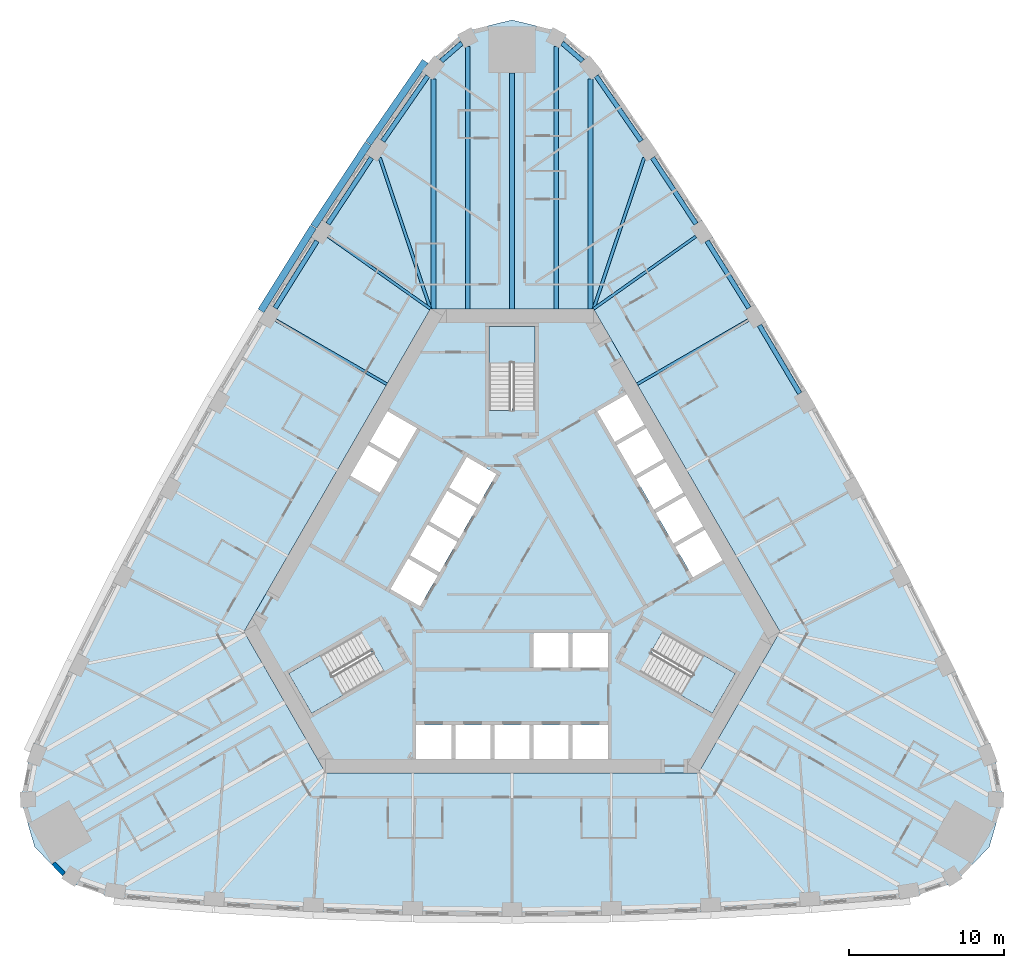
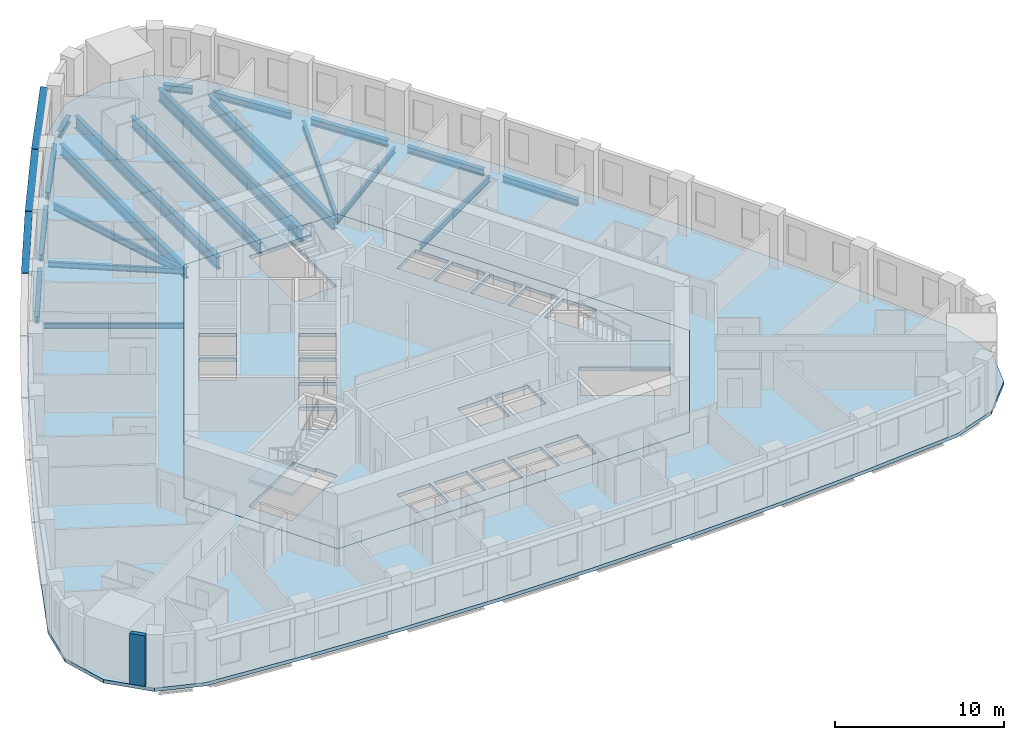
# One storey, part 2 of 13: 20 beams, 5 slabs, 3 members, 1 wall, 3 elements without a shape of their own.
"""IFC4 building model written with IfcOpenShell, lengths in metres."""

from ifc_helpers import new_model, si_unit, direction, frame, frame_2d, origin, origin_2d, place, context, subcontext, project, spatial, polyline, rectangle, i_section, outline, extrude, material, layer, layer_set, material_profile, profile_set, type_object, element, aggregate, save


model = new_model("IFC4")

# Units and contexts
model_context = context("Model", 3, precision=1e-05, world=origin(), true_north=direction((0.0, 1.0)))
body_context = subcontext(model_context, "Body", "Model", "MODEL_VIEW")
ifc_project = project(units=[si_unit("LENGTHUNIT", "METRE"), si_unit("AREAUNIT", "SQUARE_METRE"), si_unit("VOLUMEUNIT", "CUBIC_METRE"), si_unit("PLANEANGLEUNIT", "RADIAN"), si_unit("MASSUNIT", "GRAM", prefix="KILO")], contexts=[model_context])

# Site, building, storey
site_placement = place(None, origin())
site = spatial("IfcSite", under=ifc_project, at=site_placement, CompositionType="ELEMENT")
building_placement = place(site_placement, origin())
building = spatial("IfcBuilding", under=site, at=building_placement, Name="Mestral Congress Tower", CompositionType="ELEMENT")
storey_placement = place(building_placement, frame((0.0, 0.0, 99.300048828125)))
storey = spatial("IfcBuildingStorey", under=building, at=storey_placement, Name="L23", CompositionType="ELEMENT", Elevation=99.300048828125)

# Members
ifc_material_1 = material(Name="Glazed ceramic", Category="masonry")
ifc_material_profile_1 = material_profile(ifc_material_1, rectangle(XDim=0.449951171875, YDim=0.06005859375, at=origin_2d()), Name="Ceramic blade 450 x 60")
ifc_profile_set_1 = profile_set([ifc_material_profile_1], Name="Glazed ceramic")
member_type = type_object("IfcMemberType", Name="Facade sunshade blade 450 x 60", PredefinedType="USERDEFINED", material=ifc_profile_set_1)
member_placement = place(storey_placement, frame((-5.590576171875, 32.8505859375, 3.280029296875), z_axis=(-0.569144736399, -0.822237355652, 0.0), x_axis=(0.822237355652, -0.569144736399, 0.0)))
element("IfcMember", 1, at=member_placement, inside=storey, type_object=member_type, Name="Sunshade F2-00", ObjectType="SUNSHADE", PredefinedType="USERDEFINED", context=body_context, shape_type="SweptSolid", body=[
    extrude(rectangle(XDim=0.449951171875, YDim=0.06005859375, at=origin_2d()), origin(), (0.0, 0.0, 1.0), 6.421630859375),
])
for number, where, z_axis, x_axis, name in (
    (2, (-9.2705078125, 27.532958984375, 3.280029296875), (-0.549764307833, -0.835319822483, 0.0), (0.835319822483, -0.549764307833, 0.0), "Sunshade F2-01"),
    (3, (-12.797119140625, 22.173583984375, 3.280029296875), (-0.530060946156, -0.847959547007, 0.0), (0.847959547007, -0.530060946156, 0.0), "Sunshade F2-02"),
):
    element("IfcMember", number, at=place(storey_placement, frame(where, z_axis=z_axis, x_axis=x_axis)), inside=storey, type_object=member_type, Name=name, ObjectType="SUNSHADE", PredefinedType="USERDEFINED", context=body_context, shape_type="SweptSolid", body=[
        extrude(rectangle(XDim=0.449951171875, YDim=0.06005859375, at=origin_2d()), origin(), (0.0, 0.0, 1.0), 6.370361328125),
    ])

# Beams
ifc_material_2 = material(Name="Steel S355", Category="steel")
ifc_material_profile_2 = material_profile(ifc_material_2, i_section(OverallWidth=0.300048828125, OverallDepth=0.800048828125, WebThickness=0.017578125, FlangeThickness=0.032958984375, FilletRadius=0.030029296875, at=origin_2d()), Name="HEB 800")
ifc_profile_set_2 = profile_set([ifc_material_profile_2], Name="Steel S355")
beam_type_1 = type_object("IfcBeamType", Name="Floor beam HEB 800 S355", PredefinedType="BEAM", material=ifc_profile_set_2)
beam_1_placement = place(storey_placement, frame((5.056396484375, 31.72412109375, -0.650146484375), z_axis=(0.0, -1.0, 0.0), x_axis=(1.0, 0.0, 0.0)))
element("IfcBeam", 4, at=beam_1_placement, inside=storey, type_object=beam_type_1, Name="BM-L23-RB2-E08", PredefinedType="BEAM", context=body_context, shape_type="SweptSolid", body=[
    extrude(i_section(OverallWidth=0.300048828125, OverallDepth=0.800048828125, WebThickness=0.017578125, FlangeThickness=0.032958984375, FilletRadius=0.030029296875, at=origin_2d()), origin(), (0.0, 0.0, 1.0), 14.82421875),
])
beam_2_placement = place(storey_placement, frame((0.0, 32.098388671875, -0.650146484375), z_axis=(0.0, -1.0, 0.0), x_axis=(1.0, 0.0, 0.0)))
element("IfcBeam", 5, at=beam_2_placement, inside=storey, type_object=beam_type_1, Name="BM-L23-RB2-N", PredefinedType="BEAM", context=body_context, shape_type="SweptSolid", body=[
    extrude(i_section(OverallWidth=0.300048828125, OverallDepth=0.800048828125, WebThickness=0.017578125, FlangeThickness=0.032958984375, FilletRadius=0.030029296875, at=origin_2d()), origin(), (0.0, 0.0, 1.0), 15.198486328125),
])
beam_3_placement = place(storey_placement, frame((-5.056396484375, 31.72412109375, -0.650146484375), z_axis=(0.0, -1.0, 0.0), x_axis=(1.0, 0.0, 0.0)))
element("IfcBeam", 6, at=beam_3_placement, inside=storey, type_object=beam_type_1, Name="BM-L23-RB2-W00", PredefinedType="BEAM", context=body_context, shape_type="SweptSolid", body=[
    extrude(i_section(OverallWidth=0.300048828125, OverallDepth=0.800048828125, WebThickness=0.017578125, FlangeThickness=0.032958984375, FilletRadius=0.030029296875, at=origin_2d()), origin(), (0.0, 0.0, 1.0), 14.82421875),
])
ifc_material_profile_3 = material_profile(ifc_material_2, i_section(OverallWidth=0.300048828125, OverallDepth=0.89990234375, WebThickness=0.0185546875, FlangeThickness=0.034912109375, FilletRadius=0.030029296875, at=origin_2d()), Name="HEB 900")
ifc_profile_set_3 = profile_set([ifc_material_profile_3], Name="Steel S355")
beam_type_2 = type_object("IfcBeamType", Name="Floor beam HEB 900 S355", PredefinedType="BEAM", material=ifc_profile_set_3)
for number, where, z_axis, x_axis, name in (
    (7, (2.845703125, 33.794189453125, -0.699951171875), (0.0, -1.0, 0.0), (1.0, 0.0, 0.0), "BM-L23-RB2-N1"),
    (8, (-2.845703125, 33.794189453125, -0.699951171875), (0.0, -1.0, 0.0), (1.0, 0.0, 0.0), "BM-L23-RB2-N3"),
):
    element("IfcBeam", number, at=place(storey_placement, frame(where, z_axis=z_axis, x_axis=x_axis)), inside=storey, type_object=beam_type_2, Name=name, PredefinedType="BEAM", context=body_context, shape_type="SweptSolid", body=[
        extrude(i_section(OverallWidth=0.300048828125, OverallDepth=0.89990234375, WebThickness=0.0185546875, FlangeThickness=0.034912109375, FilletRadius=0.030029296875, at=origin_2d()), origin(), (0.0, 0.0, 1.0), 16.894287109375),
    ])
ifc_material_profile_4 = material_profile(ifc_material_2, i_section(OverallWidth=0.179931640625, OverallDepth=0.39990234375, WebThickness=0.008544921875, FlangeThickness=0.013427734375, FilletRadius=0.02099609375, at=origin_2d()), Name="IPE 400")
ifc_profile_set_4 = profile_set([ifc_material_profile_4], Name="Steel S355")
beam_type_3 = type_object("IfcBeamType", Name="Floor beam IPE 400 S355", PredefinedType="BEAM", material=ifc_profile_set_4)
beam_4_placement = place(storey_placement, frame((15.219482421875, 16.176513671875, -0.449951171875), z_axis=(-0.866015952286, -0.500016370119, 0.0), x_axis=(0.500016370119, -0.866015952286, 0.0)))
element("IfcBeam", 9, at=beam_4_placement, inside=storey, type_object=beam_type_3, Name="BM-L23-RB2-E05", PredefinedType="BEAM", context=body_context, shape_type="SweptSolid", body=[
    extrude(i_section(OverallWidth=0.179931640625, OverallDepth=0.39990234375, WebThickness=0.008544921875, FlangeThickness=0.013427734375, FilletRadius=0.02099609375, at=origin_2d()), origin(), (0.0, 0.0, 1.0), 8.268798828125),
])
for number, where, z_axis, x_axis, name in (
    (10, (11.849365234375, 21.568115234375, -0.449951171875), (-0.816232852676, -0.577723056673, 0.0), (0.577723056673, -0.816232852676, 0.0), "BM-L23-RB2-E06"),
    (11, (-11.849365234375, 21.568115234375, -0.449951171875), (0.816232852676, -0.577723056673, 0.0), (0.577723056673, 0.816232852676, 0.0), "BM-L23-RB2-W02"),
):
    element("IfcBeam", number, at=place(storey_placement, frame(where, z_axis=z_axis, x_axis=x_axis)), inside=storey, type_object=beam_type_3, Name=name, PredefinedType="BEAM", context=body_context, shape_type="SweptSolid", body=[
        extrude(i_section(OverallWidth=0.179931640625, OverallDepth=0.39990234375, WebThickness=0.008544921875, FlangeThickness=0.013427734375, FilletRadius=0.02099609375, at=origin_2d()), origin(), (0.0, 0.0, 1.0), 8.080322265625),
    ])
beam_5_placement = place(storey_placement, frame((-15.219482421875, 16.176513671875, -0.449951171875), z_axis=(0.866015952286, -0.500016370119, 0.0), x_axis=(0.500016370119, 0.866015952286, 0.0)))
element("IfcBeam", 12, at=beam_5_placement, inside=storey, type_object=beam_type_3, Name="BM-L23-RB2-W03", PredefinedType="BEAM", context=body_context, shape_type="SweptSolid", body=[
    extrude(i_section(OverallWidth=0.179931640625, OverallDepth=0.39990234375, WebThickness=0.008544921875, FlangeThickness=0.013427734375, FilletRadius=0.02099609375, at=origin_2d()), origin(), (0.0, 0.0, 1.0), 8.268798828125),
])
ifc_material_profile_5 = material_profile(ifc_material_2, i_section(OverallWidth=0.199951171875, OverallDepth=0.5, WebThickness=0.01025390625, FlangeThickness=0.01611328125, FilletRadius=0.02099609375, at=origin_2d()), Name="IPE 500")
ifc_profile_set_5 = profile_set([ifc_material_profile_5], Name="Steel S355")
beam_type_4 = type_object("IfcBeamType", Name="Floor beam IPE 500 S355", PredefinedType="BEAM", material=ifc_profile_set_5)
for number, where, z_axis, x_axis, name in (
    (13, (8.5185546875, 26.636962890625, -0.5), (-0.317888994992, -0.948127938025, 0.0), (0.948127938025, -0.317888994992, 0.0), "BM-L23-RB2-E07"),
    (14, (-8.5185546875, 26.636962890625, -0.5), (0.317888994992, -0.948127938025, 0.0), (0.948127938025, 0.317888994992, 0.0), "BM-L23-RB2-W01"),
):
    element("IfcBeam", number, at=place(storey_placement, frame(where, z_axis=z_axis, x_axis=x_axis)), inside=storey, type_object=beam_type_4, Name=name, PredefinedType="BEAM", context=body_context, shape_type="SweptSolid", body=[
        extrude(i_section(OverallWidth=0.199951171875, OverallDepth=0.5, WebThickness=0.01025390625, FlangeThickness=0.01611328125, FilletRadius=0.02099609375, at=origin_2d()), origin(), (0.0, 0.0, 1.0), 10.269775390625),
    ])
ifc_material_profile_6 = material_profile(ifc_material_2, i_section(OverallWidth=0.300048828125, OverallDepth=0.489990234375, WebThickness=0.011962890625, FlangeThickness=0.02294921875, FilletRadius=0.027099609375, at=origin_2d()), Name="HEA 500")
ifc_profile_set_6 = profile_set([ifc_material_profile_6], Name="Steel S355")
beam_type_5 = type_object("IfcBeamType", Name="Spandrel beam HEA 500 S355", PredefinedType="BEAM", material=ifc_profile_set_6)
for number, where, z_axis, x_axis, name in (
    (15, (18.542236328125, 11.455810546875, -0.4951171875), (-0.510081870963, 0.860125854114, 0.0), (-0.860125854114, -0.510081870963, 0.0), "SP-L23-SB2-E04"),
    (16, (15.2646484375, 16.95263671875, -0.4951171875), (-0.530046273959, 0.847968718446, 0.0), (-0.847968718446, -0.530046273959, 0.0), "SP-L23-SB2-E05"),
):
    element("IfcBeam", number, at=place(storey_placement, frame(where, z_axis=z_axis, x_axis=x_axis)), inside=storey, type_object=beam_type_5, Name=name, PredefinedType="BEAM", context=body_context, shape_type="SweptSolid", body=[
        extrude(i_section(OverallWidth=0.300048828125, OverallDepth=0.489990234375, WebThickness=0.011962890625, FlangeThickness=0.02294921875, FilletRadius=0.027099609375, at=origin_2d()), origin(), (0.0, 0.0, 1.0), 5.099853515625),
    ])
beam_6_placement = place(storey_placement, frame((11.859619140625, 22.371337890625, -0.4951171875), z_axis=(-0.549729920898, 0.835342453171, 0.0), x_axis=(-0.835342453171, -0.549729920898, 0.0)))
element("IfcBeam", 17, at=beam_6_placement, inside=storey, type_object=beam_type_5, Name="SP-L23-SB2-E06", PredefinedType="BEAM", context=body_context, shape_type="SweptSolid", body=[
    extrude(i_section(OverallWidth=0.300048828125, OverallDepth=0.489990234375, WebThickness=0.011962890625, FlangeThickness=0.02294921875, FilletRadius=0.027099609375, at=origin_2d()), origin(), (0.0, 0.0, 1.0), 5.099609375),
])
beam_7_placement = place(storey_placement, frame((8.32861328125, 27.708740234375, -0.4951171875), z_axis=(-0.569105377225, 0.822264598298, 0.0), x_axis=(-0.822264598298, -0.569105377225, 0.0)))
element("IfcBeam", 18, at=beam_7_placement, inside=storey, type_object=beam_type_5, Name="SP-L23-SB2-E07", PredefinedType="BEAM", context=body_context, shape_type="SweptSolid", body=[
    extrude(i_section(OverallWidth=0.300048828125, OverallDepth=0.489990234375, WebThickness=0.011962890625, FlangeThickness=0.02294921875, FilletRadius=0.027099609375, at=origin_2d()), origin(), (0.0, 0.0, 1.0), 5.09765625),
])
for number, where, z_axis, x_axis, name in (
    (19, (4.558349609375, 32.869140625, -0.4951171875), (-0.754917058401, 0.655820276398, 0.0), (-0.655820276398, -0.754917058401, 0.0), "SP-L23-SB2-E08"),
    (20, (-3.234130859375, 34.01953125, -0.4951171875), (-0.754917058401, -0.655820276398, 0.0), (0.655820276398, -0.754917058401, 0.0), "SP-L23-SB2-N3"),
):
    element("IfcBeam", number, at=place(storey_placement, frame(where, z_axis=z_axis, x_axis=x_axis)), inside=storey, type_object=beam_type_5, Name=name, PredefinedType="BEAM", context=body_context, shape_type="SweptSolid", body=[
        extrude(i_section(OverallWidth=0.300048828125, OverallDepth=0.489990234375, WebThickness=0.011962890625, FlangeThickness=0.02294921875, FilletRadius=0.027099609375, at=origin_2d()), origin(), (0.0, 0.0, 1.0), 1.754150390625),
    ])
beam_8_placement = place(storey_placement, frame((-5.427490234375, 31.900390625, -0.4951171875), z_axis=(-0.569105377225, -0.822264598298, 0.0), x_axis=(0.822264598298, -0.569105377225, 0.0)))
element("IfcBeam", 21, at=beam_8_placement, inside=storey, type_object=beam_type_5, Name="SP-L23-SB2-W00", PredefinedType="BEAM", context=body_context, shape_type="SweptSolid", body=[
    extrude(i_section(OverallWidth=0.300048828125, OverallDepth=0.489990234375, WebThickness=0.011962890625, FlangeThickness=0.02294921875, FilletRadius=0.027099609375, at=origin_2d()), origin(), (0.0, 0.0, 1.0), 5.09765625),
])
beam_9_placement = place(storey_placement, frame((-9.05615234375, 26.63134765625, -0.4951171875), z_axis=(-0.549729920898, -0.835342453171, 0.0), x_axis=(0.835342453171, -0.549729920898, 0.0)))
element("IfcBeam", 22, at=beam_9_placement, inside=storey, type_object=beam_type_5, Name="SP-L23-SB2-W01", PredefinedType="BEAM", context=body_context, shape_type="SweptSolid", body=[
    extrude(i_section(OverallWidth=0.300048828125, OverallDepth=0.489990234375, WebThickness=0.011962890625, FlangeThickness=0.02294921875, FilletRadius=0.027099609375, at=origin_2d()), origin(), (0.0, 0.0, 1.0), 5.099609375),
])
beam_10_placement = place(storey_placement, frame((-12.5615234375, 21.277099609375, -0.4951171875), z_axis=(-0.530046273959, -0.847968718446, 0.0), x_axis=(0.847968718446, -0.530046273959, 0.0)))
element("IfcBeam", 23, at=beam_10_placement, inside=storey, type_object=beam_type_5, Name="SP-L23-SB2-W02", PredefinedType="BEAM", context=body_context, shape_type="SweptSolid", body=[
    extrude(i_section(OverallWidth=0.300048828125, OverallDepth=0.489990234375, WebThickness=0.011962890625, FlangeThickness=0.02294921875, FilletRadius=0.027099609375, at=origin_2d()), origin(), (0.0, 0.0, 1.0), 5.099853515625),
])

# Slabs
ifc_material_3 = material(Name="Concrete C35/45", Category="concrete")
ifc_layer_1 = layer(ifc_material_3, 0.25)
ifc_layer_set_1 = layer_set([ifc_layer_1], Name="Concrete C35/45")
slab_type_1 = type_object("IfcSlabType", Name="Composite floor slab 250", PredefinedType="FLOOR", material=ifc_layer_set_1)
placement_1 = place(storey_placement, frame((0.0, 0.0, -0.25)))
element("IfcSlab", 24, at=placement_1, inside=storey, type_object=slab_type_1, Name="SL-L23", PredefinedType="FLOOR", context=body_context, shape_type="SweptSolid", body=[
    extrude(outline(polyline([(-25.656005859375, -21.041015625), (-28.581298828125, -20.03271484375), (-30.75390625, -17.755859375), (-31.639404296875, -14.73583984375), (-31.050048828125, -11.697998046875), (-28.28759765625, -5.856689453125), (-25.412109375, -0.12744140625), (-22.403564453125, 5.533203125), (-19.263671875, 11.121826171875), (-15.99365234375, 16.635498046875), (-12.595703125, 22.0712890625), (-9.07177734375, 27.426025390625), (-5.39404296875, 32.739013671875), (-3.05810546875, 34.768310546875), (0.0, 35.51171875), (3.05810546875, 34.768310546875), (5.39404296875, 32.739013671875), (9.07177734375, 27.426025390625), (12.595703125, 22.0712890625), (15.99365234375, 16.635498046875), (19.263671875, 11.121826171875), (22.403564453125, 5.533203125), (25.412109375, -0.12744140625), (28.28759765625, -5.856689453125), (31.050048828125, -11.697998046875), (31.639404296875, -14.73583984375), (30.75390625, -17.755859375), (28.581298828125, -20.03271484375), (25.656005859375, -21.041015625), (19.2158203125, -21.5693359375), (12.81640625, -21.94384765625), (6.409912109375, -22.168701171875), (0.0, -22.24365234375), (-6.409912109375, -22.168701171875), (-12.81640625, -21.94384765625), (-19.2158203125, -21.5693359375), (-25.656005859375, -21.041015625)]), holes=[polyline([(-5.25390625, 16.89990234375), (-17.2626953125, -3.89990234375), (-12.0087890625, -13.0), (12.0087890625, -13.0), (17.2626953125, -3.89990234375), (5.25390625, 16.89990234375), (-5.25390625, 16.89990234375)])]), origin(), (0.0, 0.0, 1.0), 0.25),
])
ifc_material_4 = material(Name="Concrete C60/75", Category="concrete")
ifc_layer_2 = layer(ifc_material_4, 0.25)
ifc_layer_set_2 = layer_set([ifc_layer_2], Name="Concrete C60/75")
slab_type_2 = type_object("IfcSlabType", Name="Core floor slab RC 250", PredefinedType="FLOOR", material=ifc_layer_set_2)
element("IfcSlab", 25, at=placement_1, inside=storey, type_object=slab_type_2, Name="L23 core floor", PredefinedType="FLOOR", context=body_context, shape_type="SweptSolid", body=[
    extrude(outline(polyline([(12.0087890625, -13.0), (-12.0087890625, -13.0), (-17.2626953125, -3.89990234375), (-5.25390625, 16.89990234375), (5.25390625, 16.89990234375), (17.2626953125, -3.89990234375), (12.0087890625, -13.0)]), holes=[polyline([(-3.905029296875, -9.89990234375), (-6.175048828125, -9.89990234375), (-6.175048828125, -12.10009765625), (-3.905029296875, -12.10009765625), (-3.905029296875, -9.89990234375)]), polyline([(-1.385009765625, -9.89990234375), (-3.655029296875, -9.89990234375), (-3.655029296875, -12.10009765625), (-1.385009765625, -12.10009765625), (-1.385009765625, -9.89990234375)]), polyline([(1.135009765625, -9.89990234375), (-1.135009765625, -9.89990234375), (-1.135009765625, -12.10009765625), (1.135009765625, -12.10009765625), (1.135009765625, -9.89990234375)]), polyline([(-9.0673828125, -5.235107421875), (-9.8046875, -3.95751953125), (-14.37744140625, -6.59765625), (-12.90234375, -9.15234375), (-8.234619140625, -6.45751953125), (-8.971923828125, -5.179931640625), (-9.0673828125, -5.235107421875)]), polyline([(-7.826904296875, -1.156494140625), (-5.921630859375, -2.256591796875), (-4.78662109375, -0.29052734375), (-6.69189453125, 0.809326171875), (-7.826904296875, -1.156494140625)]), polyline([(-4.66162109375, -0.07421875), (-3.526611328125, 1.8916015625), (-5.431884765625, 2.99169921875), (-6.56689453125, 1.02587890625), (-4.66162109375, -0.07421875)]), polyline([(-3.401611328125, 2.1083984375), (-2.2666015625, 4.07421875), (-4.171875, 5.174072265625), (-5.306884765625, 3.208251953125), (-3.401611328125, 2.1083984375)]), polyline([(-2.1416015625, 4.29052734375), (-1.006591796875, 6.256591796875), (-2.911865234375, 7.3564453125), (-4.046875, 5.390625), (-2.1416015625, 4.29052734375)]), polyline([(-10.41650390625, 6.158203125), (-8.51123046875, 5.058349609375), (-7.376220703125, 7.024169921875), (-9.281494140625, 8.1240234375), (-10.41650390625, 6.158203125)]), polyline([(-9.156494140625, 8.340576171875), (-7.251220703125, 7.240478515625), (-6.1162109375, 9.20654296875), (-8.021484375, 10.306396484375), (-9.156494140625, 8.340576171875)]), polyline([(1.47509765625, 10.469970703125), (1.47509765625, 15.75), (-1.47509765625, 15.75), (-1.47509765625, 10.360107421875), (0.0, 10.360107421875), (0.0, 10.469970703125), (1.47509765625, 10.469970703125)]), polyline([(3.655029296875, -9.89990234375), (1.385009765625, -9.89990234375), (1.385009765625, -12.10009765625), (3.655029296875, -12.10009765625), (3.655029296875, -9.89990234375)]), polyline([(6.175048828125, -9.89990234375), (3.905029296875, -9.89990234375), (3.905029296875, -12.10009765625), (6.175048828125, -12.10009765625), (6.175048828125, -9.89990234375)]), polyline([(9.0673828125, -5.235107421875), (8.329833984375, -6.512451171875), (12.90234375, -9.15234375), (14.37744140625, -6.59765625), (9.70947265625, -3.902587890625), (8.971923828125, -5.179931640625), (9.0673828125, -5.235107421875)]), polyline([(3.655029296875, -6.199951171875), (3.655029296875, -4.0), (1.385009765625, -4.0), (1.385009765625, -6.199951171875), (3.655029296875, -6.199951171875)]), polyline([(6.175048828125, -4.0), (3.905029296875, -4.0), (3.905029296875, -6.199951171875), (6.175048828125, -6.199951171875), (6.175048828125, -4.0)]), polyline([(12.431396484375, 2.668212890625), (10.526123046875, 1.568115234375), (11.6611328125, -0.397705078125), (13.56640625, 0.702392578125), (12.431396484375, 2.668212890625)]), polyline([(11.17138671875, 4.8505859375), (9.26611328125, 3.75048828125), (10.401123046875, 1.78466796875), (12.306396484375, 2.884765625), (11.17138671875, 4.8505859375)]), polyline([(8.006103515625, 5.932861328125), (9.14111328125, 3.967041015625), (11.04638671875, 5.067138671875), (9.911376953125, 7.032958984375), (8.006103515625, 5.932861328125)]), polyline([(8.6513671875, 9.21533203125), (6.74609375, 8.115234375), (7.881103515625, 6.1494140625), (9.786376953125, 7.24951171875), (8.6513671875, 9.21533203125)]), polyline([(7.391357421875, 11.397705078125), (5.486083984375, 10.297607421875), (6.62109375, 8.331787109375), (8.5263671875, 9.431884765625), (7.391357421875, 11.397705078125)])]), origin(), (0.0, 0.0, 1.0), 0.25),
])

# Stair, slab
stair_type = type_object("IfcStairType", Name="Exit stair 1400", PredefinedType="HALF_TURN_STAIR", material=ifc_material_4)
placement_2 = place(storey_placement, origin())
stair_1 = element("IfcStair", 26, at=placement_2, inside=storey, type_object=stair_type, Name="L23 ST1", PredefinedType="HALF_TURN_STAIR")
ifc_layer_3 = layer(ifc_material_4, 0.199951171875)
ifc_layer_set_3 = layer_set([ifc_layer_3], Name="Concrete C60/75")
slab_type_3 = type_object("IfcSlabType", Name="Exit stair landing 200", PredefinedType="LANDING", material=ifc_layer_set_3)
placement_3 = place(storey_placement, frame((0.0, 0.0, 1.75)))
slab_3 = element("IfcSlab", 27, at=placement_3, type_object=slab_type_3, Name="ST1 landing 1", PredefinedType="LANDING", context=body_context, shape_type="SweptSolid", body=[
    extrude(outline(polyline([(10.879638671875, -7.99609375), (12.364501953125, -5.424072265625), (14.39111328125, -6.593994140625), (12.906005859375, -9.166015625), (10.879638671875, -7.99609375)])), origin(), (0.0, 0.0, 1.0), 0.199951171875),
])
aggregate(stair_1, [slab_3])

stair_2 = element("IfcStair", 28, at=placement_2, inside=storey, type_object=stair_type, Name="L23 ST2", PredefinedType="HALF_TURN_STAIR")
slab_4 = element("IfcSlab", 29, at=placement_3, type_object=slab_type_3, Name="ST2 landing 1", PredefinedType="LANDING", context=body_context, shape_type="SweptSolid", body=[
    extrude(outline(polyline([(1.485107421875, 13.419921875), (-1.485107421875, 13.419921875), (-1.485107421875, 15.760009765625), (1.485107421875, 15.760009765625), (1.485107421875, 13.419921875)])), origin(), (0.0, 0.0, 1.0), 0.199951171875),
])
aggregate(stair_2, [slab_4])

stair_3 = element("IfcStair", 30, at=placement_2, inside=storey, type_object=stair_type, Name="L23 ST3", PredefinedType="HALF_TURN_STAIR")
slab_5 = element("IfcSlab", 31, at=placement_3, type_object=slab_type_3, Name="ST3 landing 1", PredefinedType="LANDING", context=body_context, shape_type="SweptSolid", body=[
    extrude(outline(polyline([(-12.364501953125, -5.424072265625), (-10.879638671875, -7.99609375), (-12.906005859375, -9.166015625), (-14.39111328125, -6.593994140625), (-12.364501953125, -5.424072265625)])), origin(), (0.0, 0.0, 1.0), 0.199951171875),
])
aggregate(stair_3, [slab_5])

# Wall
ifc_material_5 = material(Name="Precast concrete C40/50 with limestone facing", Category="masonry")
ifc_layer_4 = layer(ifc_material_5, 0.2900390625)
ifc_layer_set_4 = layer_set([ifc_layer_4], Name="Precast concrete C40/50 with limestone facing")
wall_type = type_object("IfcWallType", Name="Facade stone wall 290", PredefinedType="SOLIDWALL", material=ifc_layer_set_4)
wall_placement = place(storey_placement, frame((-29.5341796875, -18.82421875, 0.0), z_axis=(0.0, 0.0, 1.0), x_axis=(0.690414427296, -0.723414071319, 0.0)))
element("IfcWall", 32, at=wall_placement, inside=storey, type_object=wall_type, Name="Facade wall K2-2", PredefinedType="SOLIDWALL", context=body_context, shape_type="SweptSolid", body=[
    extrude(rectangle(XDim=0.947021484375, YDim=0.2900390625, at=frame_2d((0.4736328125, 0.0))), origin(), (0.0, 0.0, 1.0), 3.64990234375),
])

save(model, "model.ifc")
